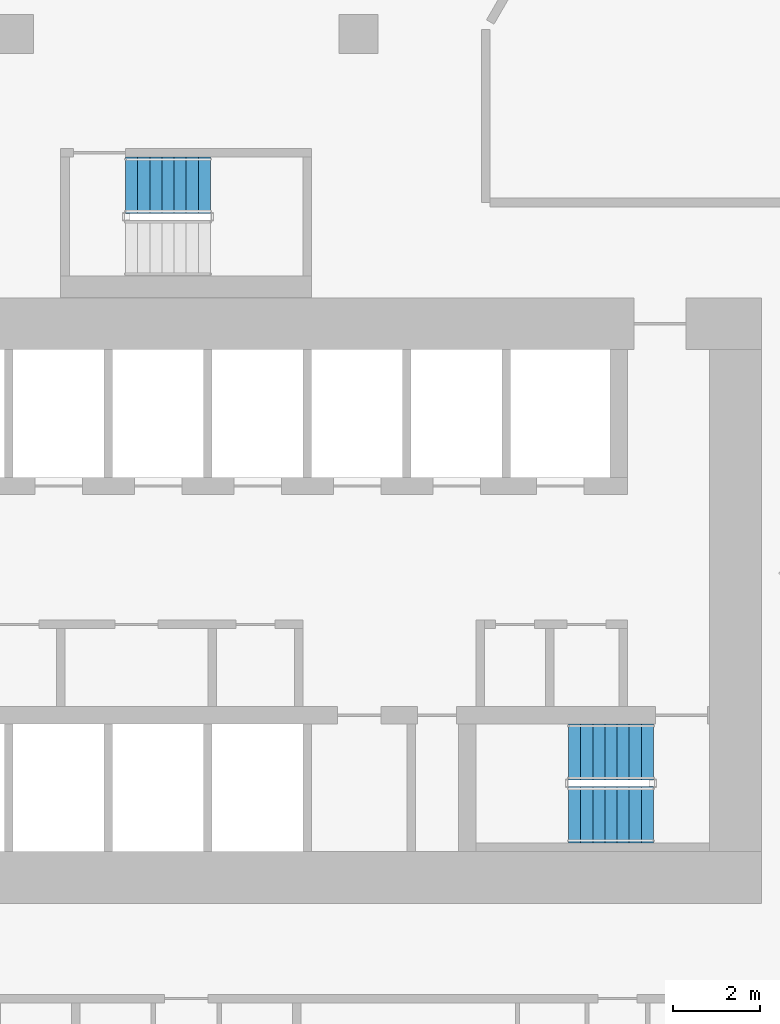
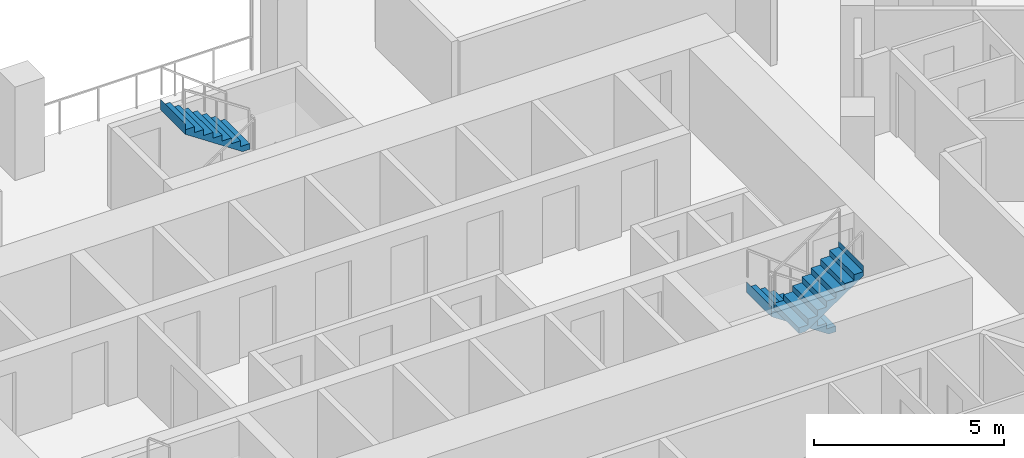
# One storey, part 17 of 21: 3 stair flights, 2 elements without a shape of their own.
"""IFC4 building model written with IfcOpenShell, lengths in metres."""

from ifc_helpers import new_model, si_unit, direction, frame, origin, place, context, subcontext, project, spatial, triangles, material, type_object, element, aggregate, save


model = new_model("IFC4")

# Units and contexts
model_context = context("Model", 3, precision=1e-05, world=origin(), true_north=direction((0.0, 1.0)))
body_context = subcontext(model_context, "Body", "Model", "MODEL_VIEW")
ifc_project = project(units=[si_unit("LENGTHUNIT", "METRE"), si_unit("AREAUNIT", "SQUARE_METRE"), si_unit("VOLUMEUNIT", "CUBIC_METRE"), si_unit("PLANEANGLEUNIT", "RADIAN"), si_unit("MASSUNIT", "GRAM", prefix="KILO")], contexts=[model_context])

# Site, building, storey
site_placement = place(None, origin())
site = spatial("IfcSite", under=ifc_project, at=site_placement, CompositionType="ELEMENT")
building_placement = place(site_placement, origin())
building = spatial("IfcBuilding", under=site, at=building_placement, Name="Beryl Residences", CompositionType="ELEMENT")
storey_placement = place(building_placement, frame((0.0, 0.0, 59.39990234375)))
storey = spatial("IfcBuildingStorey", under=building, at=storey_placement, Name="L18", CompositionType="ELEMENT", Elevation=59.39990234375)

# Stair, stair flights
ifc_material_1 = material(Name="Concrete C40/50", Category="concrete")
stair_type = type_object("IfcStairType", Name="ST1 protected exit stair, half-turn, 1300 mm flights", PredefinedType="HALF_TURN_STAIR", material=ifc_material_1)
stair_1_placement = place(storey_placement, origin())
stair_1 = element("IfcStair", 1, at=stair_1_placement, inside=storey, type_object=stair_type, Name="L18 PROTECTED EXIT STAIR ST-3", PredefinedType="HALF_TURN_STAIR")
ifc_material_2 = material(Name="Concrete C40/50", Category="concrete")
stair_flight_type = type_object("IfcStairFlightType", Name="SF1 stair flight 1300 mm", PredefinedType="STRAIGHT", material=ifc_material_2)
stair_flight_1_placement = place(storey_placement, frame((10.800048828125, -15.5, 0.0), z_axis=(0.0, 0.0, 1.0), x_axis=(-1.0, 0.0, 0.0)))
stair_flight_1 = element("IfcStairFlight", 2, at=stair_flight_1_placement, type_object=stair_flight_type, Name="ST-3 flight 1", NumberOfRisers=8, NumberOfTreads=7, PredefinedType="STRAIGHT", RiserHeight=0.1875, TreadLength=0.28, context=body_context, shape_type="Tessellation", body=[
    triangles([(0.0, -0.64990234375, 0.0), (0.0, -0.324951171875, 0.0), (0.0, 0.0, 0.0), (0.0, 0.324951171875, 0.0), (0.0, 0.64990234375, 0.0), (0.0, -0.64990234375, 0.1875), (0.0, -0.324951171875, 0.1875), (0.0, 0.0, 0.1875), (0.0, 0.324951171875, 0.1875), (0.0, 0.64990234375, 0.1875), (0.280029296875, -0.64990234375, 0.1875), (0.280029296875, -0.324951171875, 0.1875), (0.280029296875, 0.0, 0.1875), (0.280029296875, 0.324951171875, 0.1875), (0.280029296875, 0.64990234375, 0.1875), (0.280029296875, -0.64990234375, 0.375), (0.280029296875, -0.324951171875, 0.375), (0.280029296875, 0.0, 0.375), (0.280029296875, 0.324951171875, 0.375), (0.280029296875, 0.64990234375, 0.375), (0.56005859375, -0.64990234375, 0.375), (0.56005859375, -0.324951171875, 0.375), (0.56005859375, 0.0, 0.375), (0.56005859375, 0.324951171875, 0.375), (0.56005859375, 0.64990234375, 0.375), (0.56005859375, -0.64990234375, 0.5625), (0.56005859375, -0.324951171875, 0.5625), (0.56005859375, 0.0, 0.5625), (0.56005859375, 0.324951171875, 0.5625), (0.56005859375, 0.64990234375, 0.5625), (0.840087890625, -0.64990234375, 0.5625), (0.840087890625, -0.324951171875, 0.5625), (0.840087890625, 0.0, 0.5625), (0.840087890625, 0.324951171875, 0.5625), (0.840087890625, 0.64990234375, 0.5625), (0.840087890625, -0.64990234375, 0.75), (0.840087890625, -0.324951171875, 0.75), (0.840087890625, 0.0, 0.75), (0.840087890625, 0.324951171875, 0.75), (0.840087890625, 0.64990234375, 0.75), (1.1201171875, -0.64990234375, 0.75), (1.1201171875, -0.324951171875, 0.75), (1.1201171875, 0.0, 0.75), (1.1201171875, 0.324951171875, 0.75), (1.1201171875, 0.64990234375, 0.75), (1.1201171875, -0.64990234375, 0.9375), (1.1201171875, -0.324951171875, 0.9375), (1.1201171875, 0.0, 0.9375), (1.1201171875, 0.324951171875, 0.9375), (1.1201171875, 0.64990234375, 0.9375), (1.39990234375, -0.64990234375, 0.9375), (1.39990234375, -0.324951171875, 0.9375), (1.39990234375, 0.0, 0.9375), (1.39990234375, 0.324951171875, 0.9375), (1.39990234375, 0.64990234375, 0.9375), (1.39990234375, -0.64990234375, 1.125), (1.39990234375, -0.324951171875, 1.125), (1.39990234375, 0.0, 1.125), (1.39990234375, 0.324951171875, 1.125), (1.39990234375, 0.64990234375, 1.125), (1.679931640625, -0.64990234375, 1.125), (1.679931640625, -0.324951171875, 1.125), (1.679931640625, 0.0, 1.125), (1.679931640625, 0.324951171875, 1.125), (1.679931640625, 0.64990234375, 1.125), (1.679931640625, -0.64990234375, 1.3125), (1.679931640625, -0.324951171875, 1.3125), (1.679931640625, 0.0, 1.3125), (1.679931640625, 0.324951171875, 1.3125), (1.679931640625, 0.64990234375, 1.3125), (1.9599609375, -0.64990234375, 1.3125), (1.9599609375, -0.324951171875, 1.3125), (1.9599609375, 0.0, 1.3125), (1.9599609375, 0.324951171875, 1.3125), (1.9599609375, 0.64990234375, 1.3125), (1.9599609375, -0.64990234375, 1.5), (1.9599609375, -0.324951171875, 1.5), (1.9599609375, 0.0, 1.5), (1.9599609375, 0.324951171875, 1.5), (1.9599609375, 0.64990234375, 1.5), (1.9609375, -0.64990234375, 1.5), (1.9609375, -0.324951171875, 1.5), (1.9609375, 0.0, 1.5), (1.9609375, 0.324951171875, 1.5), (1.9609375, 0.64990234375, 1.5), (1.9609375, -0.64990234375, 1.16796875), (1.9609375, -0.324951171875, 1.16796875), (1.9609375, 0.0, 1.16796875), (1.9609375, 0.324951171875, 1.16796875), (1.9609375, 0.64990234375, 1.16796875), (0.216796875, -0.64990234375, 0.0), (0.216796875, -0.324951171875, 0.0), (0.216796875, 0.0, 0.0), (0.216796875, 0.324951171875, 0.0), (0.216796875, 0.64990234375, 0.0)], [[1, 6, 7], [1, 7, 2], [2, 7, 8], [2, 8, 3], [3, 8, 9], [3, 9, 4], [4, 9, 10], [4, 10, 5], [6, 11, 12], [6, 12, 7], [7, 12, 13], [7, 13, 8], [8, 13, 14], [8, 14, 9], [9, 14, 15], [9, 15, 10], [11, 16, 17], [11, 17, 12], [12, 17, 18], [12, 18, 13], [13, 18, 19], [13, 19, 14], [14, 19, 20], [14, 20, 15], [16, 21, 22], [16, 22, 17], [17, 22, 23], [17, 23, 18], [18, 23, 24], [18, 24, 19], [19, 24, 25], [19, 25, 20], [21, 26, 27], [21, 27, 22], [22, 27, 28], [22, 28, 23], [23, 28, 29], [23, 29, 24], [24, 29, 30], [24, 30, 25], [26, 31, 32], [26, 32, 27], [27, 32, 33], [27, 33, 28], [28, 33, 34], [28, 34, 29], [29, 34, 35], [29, 35, 30], [31, 36, 37], [31, 37, 32], [32, 37, 38], [32, 38, 33], [33, 38, 39], [33, 39, 34], [34, 39, 40], [34, 40, 35], [36, 41, 42], [36, 42, 37], [37, 42, 43], [37, 43, 38], [38, 43, 44], [38, 44, 39], [39, 44, 45], [39, 45, 40], [41, 46, 47], [41, 47, 42], [42, 47, 48], [42, 48, 43], [43, 48, 49], [43, 49, 44], [44, 49, 50], [44, 50, 45], [46, 51, 52], [46, 52, 47], [47, 52, 53], [47, 53, 48], [48, 53, 54], [48, 54, 49], [49, 54, 55], [49, 55, 50], [51, 56, 57], [51, 57, 52], [52, 57, 58], [52, 58, 53], [53, 58, 59], [53, 59, 54], [54, 59, 60], [54, 60, 55], [56, 61, 62], [56, 62, 57], [57, 62, 63], [57, 63, 58], [58, 63, 64], [58, 64, 59], [59, 64, 65], [59, 65, 60], [61, 66, 67], [61, 67, 62], [62, 67, 68], [62, 68, 63], [63, 68, 69], [63, 69, 64], [64, 69, 70], [64, 70, 65], [66, 71, 72], [66, 72, 67], [67, 72, 73], [67, 73, 68], [68, 73, 74], [68, 74, 69], [69, 74, 75], [69, 75, 70], [71, 76, 77], [71, 77, 72], [72, 77, 78], [72, 78, 73], [73, 78, 79], [73, 79, 74], [74, 79, 80], [74, 80, 75], [76, 81, 82], [76, 82, 77], [77, 82, 83], [77, 83, 78], [78, 83, 84], [78, 84, 79], [79, 84, 85], [79, 85, 80], [81, 86, 87], [81, 87, 82], [82, 87, 88], [82, 88, 83], [83, 88, 89], [83, 89, 84], [84, 89, 90], [84, 90, 85], [86, 91, 92], [86, 92, 87], [87, 92, 93], [87, 93, 88], [88, 93, 94], [88, 94, 89], [89, 94, 95], [89, 95, 90], [91, 1, 2], [91, 2, 92], [92, 2, 3], [92, 3, 93], [93, 3, 4], [93, 4, 94], [94, 4, 5], [94, 5, 95], [1, 91, 86], [5, 90, 95], [86, 81, 76], [90, 80, 85], [86, 76, 71], [90, 75, 80], [86, 71, 66], [90, 70, 75], [86, 66, 61], [90, 65, 70], [61, 56, 51], [65, 55, 60], [86, 61, 51], [90, 55, 65], [51, 46, 41], [55, 45, 50], [86, 51, 41], [90, 45, 55], [41, 36, 31], [45, 35, 40], [86, 41, 31], [90, 35, 45], [31, 26, 21], [35, 25, 30], [86, 31, 21], [90, 25, 35], [21, 16, 11], [25, 15, 20], [86, 21, 11], [90, 15, 25], [1, 86, 11], [5, 15, 90], [11, 6, 1], [15, 5, 10]], closed=True),
])
stair_flight_2_placement = place(storey_placement, frame((8.840087890625, -16.949951171875, 1.5), z_axis=(0.0, 0.0, 1.0), x_axis=(1.0, 0.0, 0.0)))
stair_flight_2 = element("IfcStairFlight", 3, at=stair_flight_2_placement, type_object=stair_flight_type, Name="ST-3 flight 2", NumberOfRisers=8, NumberOfTreads=7, PredefinedType="STRAIGHT", RiserHeight=0.1875, TreadLength=0.28, context=body_context, shape_type="Tessellation", body=[
    triangles([(0.0, -0.64990234375, 0.0), (0.0, -0.324951171875, 0.0), (0.0, 0.0, 0.0), (0.0, 0.324951171875, 0.0), (0.0, 0.64990234375, 0.0), (0.0, -0.64990234375, 0.1875), (0.0, -0.324951171875, 0.1875), (0.0, 0.0, 0.1875), (0.0, 0.324951171875, 0.1875), (0.0, 0.64990234375, 0.1875), (0.280029296875, -0.64990234375, 0.1875), (0.280029296875, -0.324951171875, 0.1875), (0.280029296875, 0.0, 0.1875), (0.280029296875, 0.324951171875, 0.1875), (0.280029296875, 0.64990234375, 0.1875), (0.280029296875, -0.64990234375, 0.375), (0.280029296875, -0.324951171875, 0.375), (0.280029296875, 0.0, 0.375), (0.280029296875, 0.324951171875, 0.375), (0.280029296875, 0.64990234375, 0.375), (0.56005859375, -0.64990234375, 0.375), (0.56005859375, -0.324951171875, 0.375), (0.56005859375, 0.0, 0.375), (0.56005859375, 0.324951171875, 0.375), (0.56005859375, 0.64990234375, 0.375), (0.56005859375, -0.64990234375, 0.5625), (0.56005859375, -0.324951171875, 0.5625), (0.56005859375, 0.0, 0.5625), (0.56005859375, 0.324951171875, 0.5625), (0.56005859375, 0.64990234375, 0.5625), (0.840087890625, -0.64990234375, 0.5625), (0.840087890625, -0.324951171875, 0.5625), (0.840087890625, 0.0, 0.5625), (0.840087890625, 0.324951171875, 0.5625), (0.840087890625, 0.64990234375, 0.5625), (0.840087890625, -0.64990234375, 0.75), (0.840087890625, -0.324951171875, 0.75), (0.840087890625, 0.0, 0.75), (0.840087890625, 0.324951171875, 0.75), (0.840087890625, 0.64990234375, 0.75), (1.1201171875, -0.64990234375, 0.75), (1.1201171875, -0.324951171875, 0.75), (1.1201171875, 0.0, 0.75), (1.1201171875, 0.324951171875, 0.75), (1.1201171875, 0.64990234375, 0.75), (1.1201171875, -0.64990234375, 0.9375), (1.1201171875, -0.324951171875, 0.9375), (1.1201171875, 0.0, 0.9375), (1.1201171875, 0.324951171875, 0.9375), (1.1201171875, 0.64990234375, 0.9375), (1.39990234375, -0.64990234375, 0.9375), (1.39990234375, -0.324951171875, 0.9375), (1.39990234375, 0.0, 0.9375), (1.39990234375, 0.324951171875, 0.9375), (1.39990234375, 0.64990234375, 0.9375), (1.39990234375, -0.64990234375, 1.125), (1.39990234375, -0.324951171875, 1.125), (1.39990234375, 0.0, 1.125), (1.39990234375, 0.324951171875, 1.125), (1.39990234375, 0.64990234375, 1.125), (1.679931640625, -0.64990234375, 1.125), (1.679931640625, -0.324951171875, 1.125), (1.679931640625, 0.0, 1.125), (1.679931640625, 0.324951171875, 1.125), (1.679931640625, 0.64990234375, 1.125), (1.679931640625, -0.64990234375, 1.3125), (1.679931640625, -0.324951171875, 1.3125), (1.679931640625, 0.0, 1.3125), (1.679931640625, 0.324951171875, 1.3125), (1.679931640625, 0.64990234375, 1.3125), (1.9599609375, -0.64990234375, 1.3125), (1.9599609375, -0.324951171875, 1.3125), (1.9599609375, 0.0, 1.3125), (1.9599609375, 0.324951171875, 1.3125), (1.9599609375, 0.64990234375, 1.3125), (1.9599609375, -0.64990234375, 1.5), (1.9599609375, -0.324951171875, 1.5), (1.9599609375, 0.0, 1.5), (1.9599609375, 0.324951171875, 1.5), (1.9599609375, 0.64990234375, 1.5), (1.9609375, -0.64990234375, 1.5), (1.9609375, -0.324951171875, 1.5), (1.9609375, 0.0, 1.5), (1.9609375, 0.324951171875, 1.5), (1.9609375, 0.64990234375, 1.5), (1.9609375, -0.64990234375, 1.16796875), (1.9609375, -0.324951171875, 1.16796875), (1.9609375, 0.0, 1.16796875), (1.9609375, 0.324951171875, 1.16796875), (1.9609375, 0.64990234375, 1.16796875), (0.216796875, -0.64990234375, 0.0), (0.216796875, -0.324951171875, 0.0), (0.216796875, 0.0, 0.0), (0.216796875, 0.324951171875, 0.0), (0.216796875, 0.64990234375, 0.0)], [[1, 6, 7], [1, 7, 2], [2, 7, 8], [2, 8, 3], [3, 8, 9], [3, 9, 4], [4, 9, 10], [4, 10, 5], [6, 11, 12], [6, 12, 7], [7, 12, 13], [7, 13, 8], [8, 13, 14], [8, 14, 9], [9, 14, 15], [9, 15, 10], [11, 16, 17], [11, 17, 12], [12, 17, 18], [12, 18, 13], [13, 18, 19], [13, 19, 14], [14, 19, 20], [14, 20, 15], [16, 21, 22], [16, 22, 17], [17, 22, 23], [17, 23, 18], [18, 23, 24], [18, 24, 19], [19, 24, 25], [19, 25, 20], [21, 26, 27], [21, 27, 22], [22, 27, 28], [22, 28, 23], [23, 28, 29], [23, 29, 24], [24, 29, 30], [24, 30, 25], [26, 31, 32], [26, 32, 27], [27, 32, 33], [27, 33, 28], [28, 33, 34], [28, 34, 29], [29, 34, 35], [29, 35, 30], [31, 36, 37], [31, 37, 32], [32, 37, 38], [32, 38, 33], [33, 38, 39], [33, 39, 34], [34, 39, 40], [34, 40, 35], [36, 41, 42], [36, 42, 37], [37, 42, 43], [37, 43, 38], [38, 43, 44], [38, 44, 39], [39, 44, 45], [39, 45, 40], [41, 46, 47], [41, 47, 42], [42, 47, 48], [42, 48, 43], [43, 48, 49], [43, 49, 44], [44, 49, 50], [44, 50, 45], [46, 51, 52], [46, 52, 47], [47, 52, 53], [47, 53, 48], [48, 53, 54], [48, 54, 49], [49, 54, 55], [49, 55, 50], [51, 56, 57], [51, 57, 52], [52, 57, 58], [52, 58, 53], [53, 58, 59], [53, 59, 54], [54, 59, 60], [54, 60, 55], [56, 61, 62], [56, 62, 57], [57, 62, 63], [57, 63, 58], [58, 63, 64], [58, 64, 59], [59, 64, 65], [59, 65, 60], [61, 66, 67], [61, 67, 62], [62, 67, 68], [62, 68, 63], [63, 68, 69], [63, 69, 64], [64, 69, 70], [64, 70, 65], [66, 71, 72], [66, 72, 67], [67, 72, 73], [67, 73, 68], [68, 73, 74], [68, 74, 69], [69, 74, 75], [69, 75, 70], [71, 76, 77], [71, 77, 72], [72, 77, 78], [72, 78, 73], [73, 78, 79], [73, 79, 74], [74, 79, 80], [74, 80, 75], [76, 81, 82], [76, 82, 77], [77, 82, 83], [77, 83, 78], [78, 83, 84], [78, 84, 79], [79, 84, 85], [79, 85, 80], [81, 86, 87], [81, 87, 82], [82, 87, 88], [82, 88, 83], [83, 88, 89], [83, 89, 84], [84, 89, 90], [84, 90, 85], [86, 91, 92], [86, 92, 87], [87, 92, 93], [87, 93, 88], [88, 93, 94], [88, 94, 89], [89, 94, 95], [89, 95, 90], [91, 1, 2], [91, 2, 92], [92, 2, 3], [92, 3, 93], [93, 3, 4], [93, 4, 94], [94, 4, 5], [94, 5, 95], [1, 91, 86], [5, 90, 95], [86, 81, 76], [90, 80, 85], [86, 76, 71], [90, 75, 80], [86, 71, 66], [90, 70, 75], [86, 66, 61], [90, 65, 70], [61, 56, 51], [65, 55, 60], [86, 61, 51], [90, 55, 65], [51, 46, 41], [55, 45, 50], [86, 51, 41], [90, 45, 55], [41, 36, 31], [45, 35, 40], [86, 41, 31], [90, 35, 45], [31, 26, 21], [35, 25, 30], [86, 31, 21], [90, 25, 35], [21, 16, 11], [25, 15, 20], [86, 21, 11], [90, 15, 25], [1, 86, 11], [5, 15, 90], [11, 6, 1], [15, 5, 10]], closed=True),
])
aggregate(stair_1, [stair_flight_1, stair_flight_2])

# Stair, stair flight
stair_2_placement = place(storey_placement, origin())
stair_2 = element("IfcStair", 4, at=stair_2_placement, inside=storey, type_object=stair_type, Name="L18 PROTECTED EXIT STAIR ST-4", PredefinedType="HALF_TURN_STAIR")
stair_flight_3_placement = place(storey_placement, frame((0.56005859375, -2.39990234375, 1.5), z_axis=(0.0, 0.0, 1.0), x_axis=(-1.0, 0.0, 0.0)))
stair_flight_3 = element("IfcStairFlight", 5, at=stair_flight_3_placement, type_object=stair_flight_type, Name="ST-4 flight 2", NumberOfRisers=8, NumberOfTreads=7, PredefinedType="STRAIGHT", RiserHeight=0.1875, TreadLength=0.28, context=body_context, shape_type="Tessellation", body=[
    triangles([(0.0, -0.64990234375, 0.0), (0.0, -0.324951171875, 0.0), (0.0, 0.0, 0.0), (0.0, 0.324951171875, 0.0), (0.0, 0.64990234375, 0.0), (0.0, -0.64990234375, 0.1875), (0.0, -0.324951171875, 0.1875), (0.0, 0.0, 0.1875), (0.0, 0.324951171875, 0.1875), (0.0, 0.64990234375, 0.1875), (0.280029296875, -0.64990234375, 0.1875), (0.280029296875, -0.324951171875, 0.1875), (0.280029296875, 0.0, 0.1875), (0.280029296875, 0.324951171875, 0.1875), (0.280029296875, 0.64990234375, 0.1875), (0.280029296875, -0.64990234375, 0.375), (0.280029296875, -0.324951171875, 0.375), (0.280029296875, 0.0, 0.375), (0.280029296875, 0.324951171875, 0.375), (0.280029296875, 0.64990234375, 0.375), (0.56005859375, -0.64990234375, 0.375), (0.56005859375, -0.324951171875, 0.375), (0.56005859375, 0.0, 0.375), (0.56005859375, 0.324951171875, 0.375), (0.56005859375, 0.64990234375, 0.375), (0.56005859375, -0.64990234375, 0.5625), (0.56005859375, -0.324951171875, 0.5625), (0.56005859375, 0.0, 0.5625), (0.56005859375, 0.324951171875, 0.5625), (0.56005859375, 0.64990234375, 0.5625), (0.840087890625, -0.64990234375, 0.5625), (0.840087890625, -0.324951171875, 0.5625), (0.840087890625, 0.0, 0.5625), (0.840087890625, 0.324951171875, 0.5625), (0.840087890625, 0.64990234375, 0.5625), (0.840087890625, -0.64990234375, 0.75), (0.840087890625, -0.324951171875, 0.75), (0.840087890625, 0.0, 0.75), (0.840087890625, 0.324951171875, 0.75), (0.840087890625, 0.64990234375, 0.75), (1.1201171875, -0.64990234375, 0.75), (1.1201171875, -0.324951171875, 0.75), (1.1201171875, 0.0, 0.75), (1.1201171875, 0.324951171875, 0.75), (1.1201171875, 0.64990234375, 0.75), (1.1201171875, -0.64990234375, 0.9375), (1.1201171875, -0.324951171875, 0.9375), (1.1201171875, 0.0, 0.9375), (1.1201171875, 0.324951171875, 0.9375), (1.1201171875, 0.64990234375, 0.9375), (1.39990234375, -0.64990234375, 0.9375), (1.39990234375, -0.324951171875, 0.9375), (1.39990234375, 0.0, 0.9375), (1.39990234375, 0.324951171875, 0.9375), (1.39990234375, 0.64990234375, 0.9375), (1.39990234375, -0.64990234375, 1.125), (1.39990234375, -0.324951171875, 1.125), (1.39990234375, 0.0, 1.125), (1.39990234375, 0.324951171875, 1.125), (1.39990234375, 0.64990234375, 1.125), (1.679931640625, -0.64990234375, 1.125), (1.679931640625, -0.324951171875, 1.125), (1.679931640625, 0.0, 1.125), (1.679931640625, 0.324951171875, 1.125), (1.679931640625, 0.64990234375, 1.125), (1.679931640625, -0.64990234375, 1.3125), (1.679931640625, -0.324951171875, 1.3125), (1.679931640625, 0.0, 1.3125), (1.679931640625, 0.324951171875, 1.3125), (1.679931640625, 0.64990234375, 1.3125), (1.9599609375, -0.64990234375, 1.3125), (1.9599609375, -0.324951171875, 1.3125), (1.9599609375, 0.0, 1.3125), (1.9599609375, 0.324951171875, 1.3125), (1.9599609375, 0.64990234375, 1.3125), (1.9599609375, -0.64990234375, 1.5), (1.9599609375, -0.324951171875, 1.5), (1.9599609375, 0.0, 1.5), (1.9599609375, 0.324951171875, 1.5), (1.9599609375, 0.64990234375, 1.5), (1.9609375, -0.64990234375, 1.5), (1.9609375, -0.324951171875, 1.5), (1.9609375, 0.0, 1.5), (1.9609375, 0.324951171875, 1.5), (1.9609375, 0.64990234375, 1.5), (1.9609375, -0.64990234375, 1.16796875), (1.9609375, -0.324951171875, 1.16796875), (1.9609375, 0.0, 1.16796875), (1.9609375, 0.324951171875, 1.16796875), (1.9609375, 0.64990234375, 1.16796875), (0.216796875, -0.64990234375, 0.0), (0.216796875, -0.324951171875, 0.0), (0.216796875, 0.0, 0.0), (0.216796875, 0.324951171875, 0.0), (0.216796875, 0.64990234375, 0.0)], [[1, 6, 7], [1, 7, 2], [2, 7, 8], [2, 8, 3], [3, 8, 9], [3, 9, 4], [4, 9, 10], [4, 10, 5], [6, 11, 12], [6, 12, 7], [7, 12, 13], [7, 13, 8], [8, 13, 14], [8, 14, 9], [9, 14, 15], [9, 15, 10], [11, 16, 17], [11, 17, 12], [12, 17, 18], [12, 18, 13], [13, 18, 19], [13, 19, 14], [14, 19, 20], [14, 20, 15], [16, 21, 22], [16, 22, 17], [17, 22, 23], [17, 23, 18], [18, 23, 24], [18, 24, 19], [19, 24, 25], [19, 25, 20], [21, 26, 27], [21, 27, 22], [22, 27, 28], [22, 28, 23], [23, 28, 29], [23, 29, 24], [24, 29, 30], [24, 30, 25], [26, 31, 32], [26, 32, 27], [27, 32, 33], [27, 33, 28], [28, 33, 34], [28, 34, 29], [29, 34, 35], [29, 35, 30], [31, 36, 37], [31, 37, 32], [32, 37, 38], [32, 38, 33], [33, 38, 39], [33, 39, 34], [34, 39, 40], [34, 40, 35], [36, 41, 42], [36, 42, 37], [37, 42, 43], [37, 43, 38], [38, 43, 44], [38, 44, 39], [39, 44, 45], [39, 45, 40], [41, 46, 47], [41, 47, 42], [42, 47, 48], [42, 48, 43], [43, 48, 49], [43, 49, 44], [44, 49, 50], [44, 50, 45], [46, 51, 52], [46, 52, 47], [47, 52, 53], [47, 53, 48], [48, 53, 54], [48, 54, 49], [49, 54, 55], [49, 55, 50], [51, 56, 57], [51, 57, 52], [52, 57, 58], [52, 58, 53], [53, 58, 59], [53, 59, 54], [54, 59, 60], [54, 60, 55], [56, 61, 62], [56, 62, 57], [57, 62, 63], [57, 63, 58], [58, 63, 64], [58, 64, 59], [59, 64, 65], [59, 65, 60], [61, 66, 67], [61, 67, 62], [62, 67, 68], [62, 68, 63], [63, 68, 69], [63, 69, 64], [64, 69, 70], [64, 70, 65], [66, 71, 72], [66, 72, 67], [67, 72, 73], [67, 73, 68], [68, 73, 74], [68, 74, 69], [69, 74, 75], [69, 75, 70], [71, 76, 77], [71, 77, 72], [72, 77, 78], [72, 78, 73], [73, 78, 79], [73, 79, 74], [74, 79, 80], [74, 80, 75], [76, 81, 82], [76, 82, 77], [77, 82, 83], [77, 83, 78], [78, 83, 84], [78, 84, 79], [79, 84, 85], [79, 85, 80], [81, 86, 87], [81, 87, 82], [82, 87, 88], [82, 88, 83], [83, 88, 89], [83, 89, 84], [84, 89, 90], [84, 90, 85], [86, 91, 92], [86, 92, 87], [87, 92, 93], [87, 93, 88], [88, 93, 94], [88, 94, 89], [89, 94, 95], [89, 95, 90], [91, 1, 2], [91, 2, 92], [92, 2, 3], [92, 3, 93], [93, 3, 4], [93, 4, 94], [94, 4, 5], [94, 5, 95], [1, 91, 86], [5, 90, 95], [86, 81, 76], [90, 80, 85], [86, 76, 71], [90, 75, 80], [86, 71, 66], [90, 70, 75], [86, 66, 61], [90, 65, 70], [61, 56, 51], [65, 55, 60], [86, 61, 51], [90, 55, 65], [51, 46, 41], [55, 45, 50], [86, 51, 41], [90, 45, 55], [41, 36, 31], [45, 35, 40], [86, 41, 31], [90, 35, 45], [31, 26, 21], [35, 25, 30], [86, 31, 21], [90, 25, 35], [21, 16, 11], [25, 15, 20], [86, 21, 11], [90, 15, 25], [1, 86, 11], [5, 15, 90], [11, 6, 1], [15, 5, 10]], closed=True),
])
aggregate(stair_2, [stair_flight_3])

save(model, "model.ifc")
